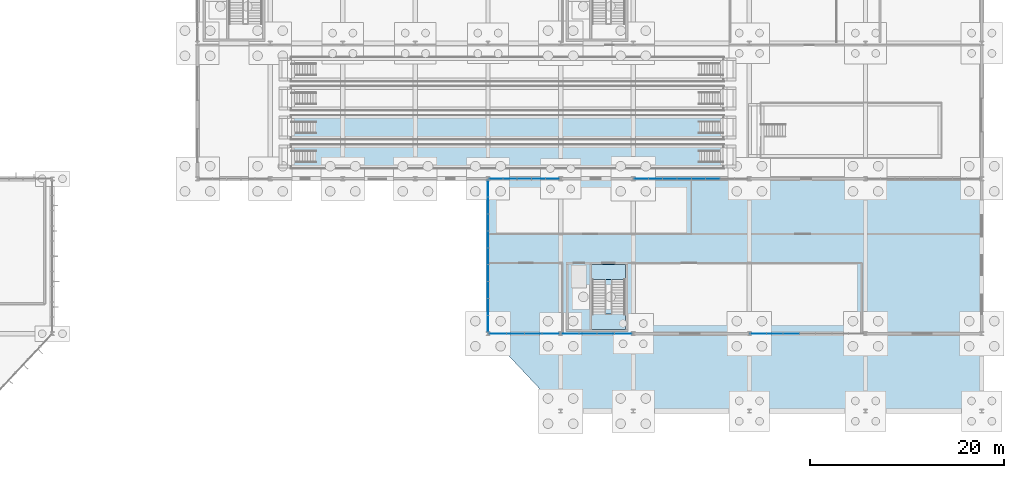
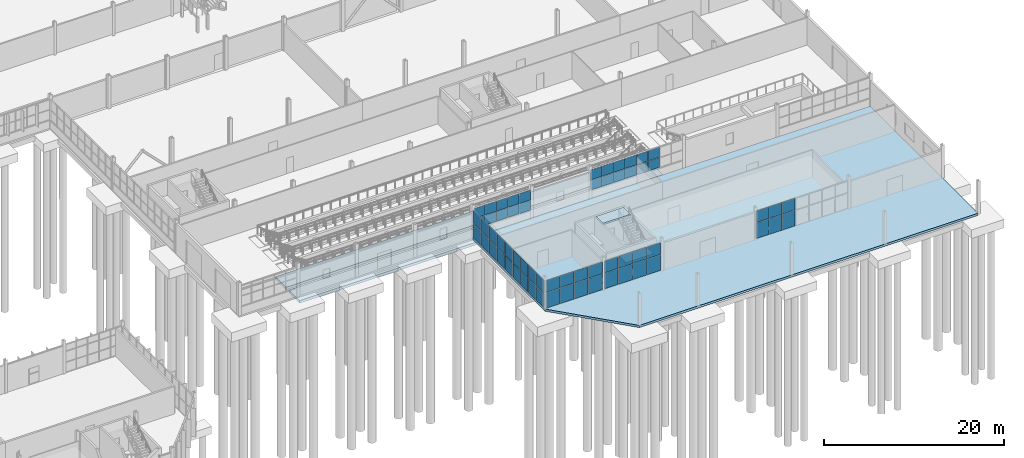
# One storey, part 96 of 136: 62 plates, 5 slabs, 7 elements without a shape of their own.
"""IFC4 building model written with IfcOpenShell, lengths in metres."""

from ifc_helpers import new_model, si_unit, direction, frame, origin, origin_2d, place, context, subcontext, project, spatial, polyline, rectangle, outline, extrude, material, layer, layer_set, type_object, element, aggregate, save


model = new_model("IFC4")

# Units and contexts
model_context = context("Model", 3, precision=1e-05, world=origin(), true_north=direction((0.0, 1.0)))
body_context = subcontext(model_context, "Body", "Model", "MODEL_VIEW")
ifc_project = project(units=[si_unit("LENGTHUNIT", "METRE"), si_unit("AREAUNIT", "SQUARE_METRE"), si_unit("VOLUMEUNIT", "CUBIC_METRE"), si_unit("PLANEANGLEUNIT", "RADIAN"), si_unit("MASSUNIT", "GRAM", prefix="KILO")], contexts=[model_context])

# Site, building, storey
site_placement = place(None, origin())
site = spatial("IfcSite", under=ifc_project, at=site_placement, CompositionType="ELEMENT")
building_placement = place(site_placement, origin())
building = spatial("IfcBuilding", under=site, at=building_placement, Name="Solvenia Promenade Tram Depot", CompositionType="ELEMENT")
storey_placement = place(building_placement, origin())
storey = spatial("IfcBuildingStorey", under=building, at=storey_placement, Name="L00", CompositionType="ELEMENT", Elevation=0.0)

# Curtain wall, plates
ifc_material_1 = material(Name="Anodized aluminium AW-6063 T6", Category="aluminium")
ifc_layer_1 = layer(ifc_material_1, 0.179931640625, Name="Anodized aluminium AW-6063 T6", Category="aluminium")
ifc_layer_set_1 = layer_set([ifc_layer_1], Name="Anodized aluminium AW-6063 T6")
curtain_wall_type_1 = type_object("IfcCurtainWallType", Name="CW-Prom-1800", PredefinedType="NOTDEFINED", material=ifc_layer_set_1)
curtain_wall_1_placement = place(storey_placement, origin())
curtain_wall_1 = element("IfcCurtainWall", 1, at=curtain_wall_1_placement, inside=storey, type_object=curtain_wall_type_1, Name="Curtain Wall CW-V5S-L0-01", PredefinedType="NOTDEFINED")
ifc_material_2 = material(Name="Double low-e argon insulated glass", Category="glass")
ifc_layer_2 = layer(ifc_material_2, 0.031982421875, Name="Double low-e argon insulated glass", Category="glass")
ifc_layer_set_2 = layer_set([ifc_layer_2], Name="Double low-e argon insulated glass")
plate_type_1 = type_object("IfcPlateType", Name="CWP-Panel-2", PredefinedType="CURTAIN_PANEL", material=ifc_layer_set_2)
plate_1_placement = place(storey_placement, frame((136.01123046875, 8.0, 0.05517578125), z_axis=(0.0, 0.0, 1.0), x_axis=(1.0, 0.0, 0.0)))
plate_1 = element("IfcPlate", 2, at=plate_1_placement, type_object=plate_type_1, Name="CW-9 panel 1.1", PredefinedType="CURTAIN_PANEL", context=body_context, shape_type="SweptSolid", body=[
    extrude(rectangle(XDim=1.75244140625, YDim=0.031982421875, at=origin_2d()), origin(), (0.0, 0.0, 1.0), 2.117431640625),
])
plate_2_placement = place(storey_placement, frame((136.01123046875, 8.0, 2.2275390625), z_axis=(0.0, 0.0, 1.0), x_axis=(1.0, 0.0, 0.0)))
plate_2 = element("IfcPlate", 3, at=plate_2_placement, type_object=plate_type_1, Name="CW-9 panel 1.2", PredefinedType="CURTAIN_PANEL", context=body_context, shape_type="SweptSolid", body=[
    extrude(rectangle(XDim=1.75244140625, YDim=0.031982421875, at=origin_2d()), origin(), (0.0, 0.0, 1.0), 1.5673828125),
])
plate_3_placement = place(storey_placement, frame((137.83251953125, 8.0, 0.05517578125), z_axis=(0.0, 0.0, 1.0), x_axis=(1.0, 0.0, 0.0)))
plate_3 = element("IfcPlate", 4, at=plate_3_placement, type_object=plate_type_1, Name="CW-9 panel 2.1", PredefinedType="CURTAIN_PANEL", context=body_context, shape_type="SweptSolid", body=[
    extrude(rectangle(XDim=1.780029296875, YDim=0.031982421875, at=origin_2d()), origin(), (0.0, 0.0, 1.0), 2.117431640625),
])
plate_4_placement = place(storey_placement, frame((137.83251953125, 8.0, 2.2275390625), z_axis=(0.0, 0.0, 1.0), x_axis=(1.0, 0.0, 0.0)))
plate_4 = element("IfcPlate", 5, at=plate_4_placement, type_object=plate_type_1, Name="CW-9 panel 2.2", PredefinedType="CURTAIN_PANEL", context=body_context, shape_type="SweptSolid", body=[
    extrude(rectangle(XDim=1.780029296875, YDim=0.031982421875, at=origin_2d()), origin(), (0.0, 0.0, 1.0), 1.5673828125),
])
plate_5_placement = place(storey_placement, frame((139.66748046875, 8.0, 0.05517578125), z_axis=(0.0, 0.0, 1.0), x_axis=(1.0, 0.0, 0.0)))
plate_5 = element("IfcPlate", 6, at=plate_5_placement, type_object=plate_type_1, Name="CW-9 panel 3.1", PredefinedType="CURTAIN_PANEL", context=body_context, shape_type="SweptSolid", body=[
    extrude(rectangle(XDim=1.780029296875, YDim=0.031982421875, at=origin_2d()), origin(), (0.0, 0.0, 1.0), 2.117431640625),
])
plate_6_placement = place(storey_placement, frame((139.66748046875, 8.0, 2.2275390625), z_axis=(0.0, 0.0, 1.0), x_axis=(1.0, 0.0, 0.0)))
plate_6 = element("IfcPlate", 7, at=plate_6_placement, type_object=plate_type_1, Name="CW-9 panel 3.2", PredefinedType="CURTAIN_PANEL", context=body_context, shape_type="SweptSolid", body=[
    extrude(rectangle(XDim=1.780029296875, YDim=0.031982421875, at=origin_2d()), origin(), (0.0, 0.0, 1.0), 1.5673828125),
])
plate_7_placement = place(storey_placement, frame((141.48876953125, 8.0, 0.05517578125), z_axis=(0.0, 0.0, 1.0), x_axis=(1.0, 0.0, 0.0)))
plate_7 = element("IfcPlate", 8, at=plate_7_placement, type_object=plate_type_1, Name="CW-9 panel 4.1", PredefinedType="CURTAIN_PANEL", context=body_context, shape_type="SweptSolid", body=[
    extrude(rectangle(XDim=1.75244140625, YDim=0.031982421875, at=origin_2d()), origin(), (0.0, 0.0, 1.0), 2.117431640625),
])
plate_8_placement = place(storey_placement, frame((141.48876953125, 8.0, 2.2275390625), z_axis=(0.0, 0.0, 1.0), x_axis=(1.0, 0.0, 0.0)))
plate_8 = element("IfcPlate", 9, at=plate_8_placement, type_object=plate_type_1, Name="CW-9 panel 4.2", PredefinedType="CURTAIN_PANEL", context=body_context, shape_type="SweptSolid", body=[
    extrude(rectangle(XDim=1.75244140625, YDim=0.031982421875, at=origin_2d()), origin(), (0.0, 0.0, 1.0), 1.5673828125),
])
aggregate(curtain_wall_1, [plate_1, plate_2, plate_3, plate_4, plate_5, plate_6, plate_7, plate_8])

curtain_wall_2_placement = place(storey_placement, origin())
curtain_wall_2 = element("IfcCurtainWall", 10, at=curtain_wall_2_placement, inside=storey, type_object=curtain_wall_type_1, Name="Curtain Wall CW-V5S-L0-02", PredefinedType="NOTDEFINED")
plate_9_placement = place(storey_placement, frame((143.51123046875, 8.0, 0.05517578125), z_axis=(0.0, 0.0, 1.0), x_axis=(1.0, 0.0, 0.0)))
plate_9 = element("IfcPlate", 11, at=plate_9_placement, type_object=plate_type_1, Name="CW-9 panel 1.1", PredefinedType="CURTAIN_PANEL", context=body_context, shape_type="SweptSolid", body=[
    extrude(rectangle(XDim=1.75244140625, YDim=0.031982421875, at=origin_2d()), origin(), (0.0, 0.0, 1.0), 2.117431640625),
])
plate_10_placement = place(storey_placement, frame((143.51123046875, 8.0, 2.2275390625), z_axis=(0.0, 0.0, 1.0), x_axis=(1.0, 0.0, 0.0)))
plate_10 = element("IfcPlate", 12, at=plate_10_placement, type_object=plate_type_1, Name="CW-9 panel 1.2", PredefinedType="CURTAIN_PANEL", context=body_context, shape_type="SweptSolid", body=[
    extrude(rectangle(XDim=1.75244140625, YDim=0.031982421875, at=origin_2d()), origin(), (0.0, 0.0, 1.0), 1.5673828125),
])
plate_11_placement = place(storey_placement, frame((145.33251953125, 8.0, 0.05517578125), z_axis=(0.0, 0.0, 1.0), x_axis=(1.0, 0.0, 0.0)))
plate_11 = element("IfcPlate", 13, at=plate_11_placement, type_object=plate_type_1, Name="CW-9 panel 2.1", PredefinedType="CURTAIN_PANEL", context=body_context, shape_type="SweptSolid", body=[
    extrude(rectangle(XDim=1.780029296875, YDim=0.031982421875, at=origin_2d()), origin(), (0.0, 0.0, 1.0), 2.117431640625),
])
plate_12_placement = place(storey_placement, frame((145.33251953125, 8.0, 2.2275390625), z_axis=(0.0, 0.0, 1.0), x_axis=(1.0, 0.0, 0.0)))
plate_12 = element("IfcPlate", 14, at=plate_12_placement, type_object=plate_type_1, Name="CW-9 panel 2.2", PredefinedType="CURTAIN_PANEL", context=body_context, shape_type="SweptSolid", body=[
    extrude(rectangle(XDim=1.780029296875, YDim=0.031982421875, at=origin_2d()), origin(), (0.0, 0.0, 1.0), 1.5673828125),
])
plate_13_placement = place(storey_placement, frame((147.16748046875, 8.0, 0.05517578125), z_axis=(0.0, 0.0, 1.0), x_axis=(1.0, 0.0, 0.0)))
plate_13 = element("IfcPlate", 15, at=plate_13_placement, type_object=plate_type_1, Name="CW-9 panel 3.1", PredefinedType="CURTAIN_PANEL", context=body_context, shape_type="SweptSolid", body=[
    extrude(rectangle(XDim=1.780029296875, YDim=0.031982421875, at=origin_2d()), origin(), (0.0, 0.0, 1.0), 2.117431640625),
])
plate_14_placement = place(storey_placement, frame((147.16748046875, 8.0, 2.2275390625), z_axis=(0.0, 0.0, 1.0), x_axis=(1.0, 0.0, 0.0)))
plate_14 = element("IfcPlate", 16, at=plate_14_placement, type_object=plate_type_1, Name="CW-9 panel 3.2", PredefinedType="CURTAIN_PANEL", context=body_context, shape_type="SweptSolid", body=[
    extrude(rectangle(XDim=1.780029296875, YDim=0.031982421875, at=origin_2d()), origin(), (0.0, 0.0, 1.0), 1.5673828125),
])
plate_15_placement = place(storey_placement, frame((148.98876953125, 8.0, 0.05517578125), z_axis=(0.0, 0.0, 1.0), x_axis=(1.0, 0.0, 0.0)))
plate_15 = element("IfcPlate", 17, at=plate_15_placement, type_object=plate_type_1, Name="CW-9 panel 4.1", PredefinedType="CURTAIN_PANEL", context=body_context, shape_type="SweptSolid", body=[
    extrude(rectangle(XDim=1.75244140625, YDim=0.031982421875, at=origin_2d()), origin(), (0.0, 0.0, 1.0), 2.117431640625),
])
plate_16_placement = place(storey_placement, frame((148.98876953125, 8.0, 2.2275390625), z_axis=(0.0, 0.0, 1.0), x_axis=(1.0, 0.0, 0.0)))
plate_16 = element("IfcPlate", 18, at=plate_16_placement, type_object=plate_type_1, Name="CW-9 panel 4.2", PredefinedType="CURTAIN_PANEL", context=body_context, shape_type="SweptSolid", body=[
    extrude(rectangle(XDim=1.75244140625, YDim=0.031982421875, at=origin_2d()), origin(), (0.0, 0.0, 1.0), 1.5673828125),
])
aggregate(curtain_wall_2, [plate_9, plate_10, plate_11, plate_12, plate_13, plate_14, plate_15, plate_16])

curtain_wall_3_placement = place(storey_placement, origin())
curtain_wall_3 = element("IfcCurtainWall", 19, at=curtain_wall_3_placement, inside=storey, type_object=curtain_wall_type_1, Name="Curtain Wall CW-V5S-L0-04", PredefinedType="NOTDEFINED")
plate_17_placement = place(storey_placement, frame((162.939453125, 8.0, 0.05517578125), z_axis=(0.0, 0.0, 1.0), x_axis=(1.0, 0.0, 0.0)))
plate_17 = element("IfcPlate", 20, at=plate_17_placement, type_object=plate_type_1, Name="CW-9 panel 1.1", PredefinedType="CURTAIN_PANEL", context=body_context, shape_type="SweptSolid", body=[
    extrude(rectangle(XDim=1.60888671875, YDim=0.031982421875, at=origin_2d()), origin(), (0.0, 0.0, 1.0), 2.117431640625),
])
plate_18_placement = place(storey_placement, frame((162.939453125, 8.0, 2.2275390625), z_axis=(0.0, 0.0, 1.0), x_axis=(1.0, 0.0, 0.0)))
plate_18 = element("IfcPlate", 21, at=plate_18_placement, type_object=plate_type_1, Name="CW-9 panel 1.2", PredefinedType="CURTAIN_PANEL", context=body_context, shape_type="SweptSolid", body=[
    extrude(rectangle(XDim=1.60888671875, YDim=0.031982421875, at=origin_2d()), origin(), (0.0, 0.0, 1.0), 1.5673828125),
])
plate_19_placement = place(storey_placement, frame((164.6171875, 8.0, 0.05517578125), z_axis=(0.0, 0.0, 1.0), x_axis=(1.0, 0.0, 0.0)))
plate_19 = element("IfcPlate", 22, at=plate_19_placement, type_object=plate_type_1, Name="CW-9 panel 2.1", PredefinedType="CURTAIN_PANEL", context=body_context, shape_type="SweptSolid", body=[
    extrude(rectangle(XDim=1.636474609375, YDim=0.031982421875, at=origin_2d()), origin(), (0.0, 0.0, 1.0), 2.117431640625),
])
plate_20_placement = place(storey_placement, frame((164.6171875, 8.0, 2.2275390625), z_axis=(0.0, 0.0, 1.0), x_axis=(1.0, 0.0, 0.0)))
plate_20 = element("IfcPlate", 23, at=plate_20_placement, type_object=plate_type_1, Name="CW-9 panel 2.2", PredefinedType="CURTAIN_PANEL", context=body_context, shape_type="SweptSolid", body=[
    extrude(rectangle(XDim=1.636474609375, YDim=0.031982421875, at=origin_2d()), origin(), (0.0, 0.0, 1.0), 1.5673828125),
])
plate_21_placement = place(storey_placement, frame((166.30859375, 8.0, 0.05517578125), z_axis=(0.0, 0.0, 1.0), x_axis=(1.0, 0.0, 0.0)))
plate_21 = element("IfcPlate", 24, at=plate_21_placement, type_object=plate_type_1, Name="CW-9 panel 3.1", PredefinedType="CURTAIN_PANEL", context=body_context, shape_type="SweptSolid", body=[
    extrude(rectangle(XDim=1.636474609375, YDim=0.031982421875, at=origin_2d()), origin(), (0.0, 0.0, 1.0), 2.117431640625),
])
plate_22_placement = place(storey_placement, frame((166.30859375, 8.0, 2.2275390625), z_axis=(0.0, 0.0, 1.0), x_axis=(1.0, 0.0, 0.0)))
plate_22 = element("IfcPlate", 25, at=plate_22_placement, type_object=plate_type_1, Name="CW-9 panel 3.2", PredefinedType="CURTAIN_PANEL", context=body_context, shape_type="SweptSolid", body=[
    extrude(rectangle(XDim=1.636474609375, YDim=0.031982421875, at=origin_2d()), origin(), (0.0, 0.0, 1.0), 1.5673828125),
])
aggregate(curtain_wall_3, [plate_17, plate_18, plate_19, plate_20, plate_21, plate_22])

curtain_wall_4_placement = place(storey_placement, origin())
curtain_wall_4 = element("IfcCurtainWall", 26, at=curtain_wall_4_placement, inside=storey, type_object=curtain_wall_type_1, Name="Curtain Wall CW-V5W-L00", PredefinedType="NOTDEFINED")
plate_23_placement = place(storey_placement, frame((135.0, 9.035888671875, 0.054931640625), z_axis=(0.0, 0.0, 1.0), x_axis=(0.0, 1.0, 0.0)))
plate_23 = element("IfcPlate", 27, at=plate_23_placement, type_object=plate_type_1, Name="CW-9 panel 1.1", PredefinedType="CURTAIN_PANEL", context=body_context, shape_type="SweptSolid", body=[
    extrude(rectangle(XDim=1.661865234375, YDim=0.031982421875, at=origin_2d()), origin(), (0.0, 0.0, 1.0), 1.91748046875),
])
plate_24_placement = place(storey_placement, frame((135.0, 9.035888671875, 2.02734375), z_axis=(0.0, 0.0, 1.0), x_axis=(0.0, 1.0, 0.0)))
plate_24 = element("IfcPlate", 28, at=plate_24_placement, type_object=plate_type_1, Name="CW-9 panel 1.2", PredefinedType="CURTAIN_PANEL", context=body_context, shape_type="SweptSolid", body=[
    extrude(rectangle(XDim=1.661865234375, YDim=0.031982421875, at=origin_2d()), origin(), (0.0, 0.0, 1.0), 1.767578125),
])
plate_25_placement = place(storey_placement, frame((135.0, 10.7666015625, 0.054931640625), z_axis=(0.0, 0.0, 1.0), x_axis=(0.0, 1.0, 0.0)))
plate_25 = element("IfcPlate", 29, at=plate_25_placement, type_object=plate_type_1, Name="CW-9 panel 2.1", PredefinedType="CURTAIN_PANEL", context=body_context, shape_type="SweptSolid", body=[
    extrude(rectangle(XDim=1.689453125, YDim=0.031982421875, at=origin_2d()), origin(), (0.0, 0.0, 1.0), 1.91748046875),
])
plate_26_placement = place(storey_placement, frame((135.0, 10.7666015625, 2.02734375), z_axis=(0.0, 0.0, 1.0), x_axis=(0.0, 1.0, 0.0)))
plate_26 = element("IfcPlate", 30, at=plate_26_placement, type_object=plate_type_1, Name="CW-9 panel 2.2", PredefinedType="CURTAIN_PANEL", context=body_context, shape_type="SweptSolid", body=[
    extrude(rectangle(XDim=1.689453125, YDim=0.031982421875, at=origin_2d()), origin(), (0.0, 0.0, 1.0), 1.767578125),
])
plate_27_placement = place(storey_placement, frame((135.0, 12.51123046875, 0.054931640625), z_axis=(0.0, 0.0, 1.0), x_axis=(0.0, 1.0, 0.0)))
plate_27 = element("IfcPlate", 31, at=plate_27_placement, type_object=plate_type_1, Name="CW-9 panel 3.1", PredefinedType="CURTAIN_PANEL", context=body_context, shape_type="SweptSolid", body=[
    extrude(rectangle(XDim=1.689453125, YDim=0.031982421875, at=origin_2d()), origin(), (0.0, 0.0, 1.0), 1.91748046875),
])
plate_28_placement = place(storey_placement, frame((135.0, 12.51123046875, 2.02734375), z_axis=(0.0, 0.0, 1.0), x_axis=(0.0, 1.0, 0.0)))
plate_28 = element("IfcPlate", 32, at=plate_28_placement, type_object=plate_type_1, Name="CW-9 panel 3.2", PredefinedType="CURTAIN_PANEL", context=body_context, shape_type="SweptSolid", body=[
    extrude(rectangle(XDim=1.689453125, YDim=0.031982421875, at=origin_2d()), origin(), (0.0, 0.0, 1.0), 1.767578125),
])
plate_29_placement = place(storey_placement, frame((135.0, 14.255615234375, 0.054931640625), z_axis=(0.0, 0.0, 1.0), x_axis=(0.0, 1.0, 0.0)))
plate_29 = element("IfcPlate", 33, at=plate_29_placement, type_object=plate_type_1, Name="CW-9 panel 4.1", PredefinedType="CURTAIN_PANEL", context=body_context, shape_type="SweptSolid", body=[
    extrude(rectangle(XDim=1.689453125, YDim=0.031982421875, at=origin_2d()), origin(), (0.0, 0.0, 1.0), 1.91748046875),
])
plate_30_placement = place(storey_placement, frame((135.0, 14.255615234375, 2.02734375), z_axis=(0.0, 0.0, 1.0), x_axis=(0.0, 1.0, 0.0)))
plate_30 = element("IfcPlate", 34, at=plate_30_placement, type_object=plate_type_1, Name="CW-9 panel 4.2", PredefinedType="CURTAIN_PANEL", context=body_context, shape_type="SweptSolid", body=[
    extrude(rectangle(XDim=1.689453125, YDim=0.031982421875, at=origin_2d()), origin(), (0.0, 0.0, 1.0), 1.767578125),
])
plate_31_placement = place(storey_placement, frame((135.0, 16.0, 0.054931640625), z_axis=(0.0, 0.0, 1.0), x_axis=(0.0, 1.0, 0.0)))
plate_31 = element("IfcPlate", 35, at=plate_31_placement, type_object=plate_type_1, Name="CW-9 panel 5.1", PredefinedType="CURTAIN_PANEL", context=body_context, shape_type="SweptSolid", body=[
    extrude(rectangle(XDim=1.689453125, YDim=0.031982421875, at=origin_2d()), origin(), (0.0, 0.0, 1.0), 1.91748046875),
])
plate_32_placement = place(storey_placement, frame((135.0, 16.0, 2.02734375), z_axis=(0.0, 0.0, 1.0), x_axis=(0.0, 1.0, 0.0)))
plate_32 = element("IfcPlate", 36, at=plate_32_placement, type_object=plate_type_1, Name="CW-9 panel 5.2", PredefinedType="CURTAIN_PANEL", context=body_context, shape_type="SweptSolid", body=[
    extrude(rectangle(XDim=1.689453125, YDim=0.031982421875, at=origin_2d()), origin(), (0.0, 0.0, 1.0), 1.767578125),
])
plate_33_placement = place(storey_placement, frame((135.0, 17.744384765625, 0.054931640625), z_axis=(0.0, 0.0, 1.0), x_axis=(0.0, 1.0, 0.0)))
plate_33 = element("IfcPlate", 37, at=plate_33_placement, type_object=plate_type_1, Name="CW-9 panel 6.1", PredefinedType="CURTAIN_PANEL", context=body_context, shape_type="SweptSolid", body=[
    extrude(rectangle(XDim=1.689453125, YDim=0.031982421875, at=origin_2d()), origin(), (0.0, 0.0, 1.0), 1.91748046875),
])
plate_34_placement = place(storey_placement, frame((135.0, 17.744384765625, 2.02734375), z_axis=(0.0, 0.0, 1.0), x_axis=(0.0, 1.0, 0.0)))
plate_34 = element("IfcPlate", 38, at=plate_34_placement, type_object=plate_type_1, Name="CW-9 panel 6.2", PredefinedType="CURTAIN_PANEL", context=body_context, shape_type="SweptSolid", body=[
    extrude(rectangle(XDim=1.689453125, YDim=0.031982421875, at=origin_2d()), origin(), (0.0, 0.0, 1.0), 1.767578125),
])
plate_35_placement = place(storey_placement, frame((135.0, 19.48876953125, 0.054931640625), z_axis=(0.0, 0.0, 1.0), x_axis=(0.0, 1.0, 0.0)))
plate_35 = element("IfcPlate", 39, at=plate_35_placement, type_object=plate_type_1, Name="CW-9 panel 7.1", PredefinedType="CURTAIN_PANEL", context=body_context, shape_type="SweptSolid", body=[
    extrude(rectangle(XDim=1.689453125, YDim=0.031982421875, at=origin_2d()), origin(), (0.0, 0.0, 1.0), 1.91748046875),
])
plate_36_placement = place(storey_placement, frame((135.0, 19.48876953125, 2.02734375), z_axis=(0.0, 0.0, 1.0), x_axis=(0.0, 1.0, 0.0)))
plate_36 = element("IfcPlate", 40, at=plate_36_placement, type_object=plate_type_1, Name="CW-9 panel 7.2", PredefinedType="CURTAIN_PANEL", context=body_context, shape_type="SweptSolid", body=[
    extrude(rectangle(XDim=1.689453125, YDim=0.031982421875, at=origin_2d()), origin(), (0.0, 0.0, 1.0), 1.767578125),
])
plate_37_placement = place(storey_placement, frame((135.0, 21.2333984375, 0.054931640625), z_axis=(0.0, 0.0, 1.0), x_axis=(0.0, 1.0, 0.0)))
plate_37 = element("IfcPlate", 41, at=plate_37_placement, type_object=plate_type_1, Name="CW-9 panel 8.1", PredefinedType="CURTAIN_PANEL", context=body_context, shape_type="SweptSolid", body=[
    extrude(rectangle(XDim=1.689453125, YDim=0.031982421875, at=origin_2d()), origin(), (0.0, 0.0, 1.0), 1.91748046875),
])
plate_38_placement = place(storey_placement, frame((135.0, 21.2333984375, 2.02734375), z_axis=(0.0, 0.0, 1.0), x_axis=(0.0, 1.0, 0.0)))
plate_38 = element("IfcPlate", 42, at=plate_38_placement, type_object=plate_type_1, Name="CW-9 panel 8.2", PredefinedType="CURTAIN_PANEL", context=body_context, shape_type="SweptSolid", body=[
    extrude(rectangle(XDim=1.689453125, YDim=0.031982421875, at=origin_2d()), origin(), (0.0, 0.0, 1.0), 1.767578125),
])
plate_39_placement = place(storey_placement, frame((135.0, 22.964111328125, 0.054931640625), z_axis=(0.0, 0.0, 1.0), x_axis=(0.0, 1.0, 0.0)))
plate_39 = element("IfcPlate", 43, at=plate_39_placement, type_object=plate_type_1, Name="CW-9 panel 9.1", PredefinedType="CURTAIN_PANEL", context=body_context, shape_type="SweptSolid", body=[
    extrude(rectangle(XDim=1.661865234375, YDim=0.031982421875, at=origin_2d()), origin(), (0.0, 0.0, 1.0), 1.91748046875),
])
plate_40_placement = place(storey_placement, frame((135.0, 22.964111328125, 2.02734375), z_axis=(0.0, 0.0, 1.0), x_axis=(0.0, 1.0, 0.0)))
plate_40 = element("IfcPlate", 44, at=plate_40_placement, type_object=plate_type_1, Name="CW-9 panel 9.2", PredefinedType="CURTAIN_PANEL", context=body_context, shape_type="SweptSolid", body=[
    extrude(rectangle(XDim=1.661865234375, YDim=0.031982421875, at=origin_2d()), origin(), (0.0, 0.0, 1.0), 1.767578125),
])
aggregate(curtain_wall_4, [plate_23, plate_24, plate_25, plate_26, plate_27, plate_28, plate_29, plate_30, plate_31, plate_32, plate_33, plate_34, plate_35, plate_36, plate_37, plate_38, plate_39, plate_40])

ifc_layer_3 = layer(ifc_material_1, 0.179931640625, Name="Anodized aluminium AW-6063 T6", Category="aluminium")
ifc_layer_set_3 = layer_set([ifc_layer_3], Name="Anodized aluminium AW-6063 T6")
curtain_wall_type_2 = type_object("IfcCurtainWallType", Name="CW-Solar-1500", PredefinedType="NOTDEFINED", material=ifc_layer_set_3)
curtain_wall_5_placement = place(storey_placement, origin())
curtain_wall_5 = element("IfcCurtainWall", 45, at=curtain_wall_5_placement, inside=storey, type_object=curtain_wall_type_2, Name="Curtain Wall CW-V2S-L0-05", PredefinedType="NOTDEFINED")
ifc_layer_4 = layer(ifc_material_2, 0.035888671875, Name="Double low-e argon insulated glass", Category="glass")
ifc_layer_set_4 = layer_set([ifc_layer_4], Name="Double low-e argon insulated glass")
plate_type_2 = type_object("IfcPlateType", Name="CWP-Panel-3", PredefinedType="CURTAIN_PANEL", material=ifc_layer_set_4)
plate_41_placement = place(storey_placement, frame((135.825927734375, 24.0, 1.157958984375), z_axis=(0.0, 0.0, 1.0), x_axis=(1.0, 0.0, 0.0)))
plate_41 = element("IfcPlate", 46, at=plate_41_placement, type_object=plate_type_2, Name="CW-7 panel 1.1", PredefinedType="CURTAIN_PANEL", context=body_context, shape_type="SweptSolid", body=[
    extrude(rectangle(XDim=1.39599609375, YDim=0.035888671875, at=origin_2d()), origin(), (0.0, 0.0, 1.0), 1.31298828125),
])
plate_42_placement = place(storey_placement, frame((135.825927734375, 24.0, 2.52880859375), z_axis=(0.0, 0.0, 1.0), x_axis=(1.0, 0.0, 0.0)))
plate_42 = element("IfcPlate", 47, at=plate_42_placement, type_object=plate_type_2, Name="CW-7 panel 1.2", PredefinedType="CURTAIN_PANEL", context=body_context, shape_type="SweptSolid", body=[
    extrude(rectangle(XDim=1.39599609375, YDim=0.035888671875, at=origin_2d()), origin(), (0.0, 0.0, 1.0), 1.363037109375),
])
plate_43_placement = place(storey_placement, frame((137.281982421875, 24.0, 1.157958984375), z_axis=(0.0, 0.0, 1.0), x_axis=(1.0, 0.0, 0.0)))
plate_43 = element("IfcPlate", 48, at=plate_43_placement, type_object=plate_type_2, Name="CW-7 panel 2.1", PredefinedType="CURTAIN_PANEL", context=body_context, shape_type="SweptSolid", body=[
    extrude(rectangle(XDim=1.419921875, YDim=0.035888671875, at=origin_2d()), origin(), (0.0, 0.0, 1.0), 1.31298828125),
])
plate_44_placement = place(storey_placement, frame((137.281982421875, 24.0, 2.52880859375), z_axis=(0.0, 0.0, 1.0), x_axis=(1.0, 0.0, 0.0)))
plate_44 = element("IfcPlate", 49, at=plate_44_placement, type_object=plate_type_2, Name="CW-7 panel 2.2", PredefinedType="CURTAIN_PANEL", context=body_context, shape_type="SweptSolid", body=[
    extrude(rectangle(XDim=1.419921875, YDim=0.035888671875, at=origin_2d()), origin(), (0.0, 0.0, 1.0), 1.363037109375),
])
plate_45_placement = place(storey_placement, frame((138.75, 24.0, 1.157958984375), z_axis=(0.0, 0.0, 1.0), x_axis=(1.0, 0.0, 0.0)))
plate_45 = element("IfcPlate", 50, at=plate_45_placement, type_object=plate_type_2, Name="CW-7 panel 3.1", PredefinedType="CURTAIN_PANEL", context=body_context, shape_type="SweptSolid", body=[
    extrude(rectangle(XDim=1.419921875, YDim=0.035888671875, at=origin_2d()), origin(), (0.0, 0.0, 1.0), 1.31298828125),
])
plate_46_placement = place(storey_placement, frame((138.75, 24.0, 2.52880859375), z_axis=(0.0, 0.0, 1.0), x_axis=(1.0, 0.0, 0.0)))
plate_46 = element("IfcPlate", 51, at=plate_46_placement, type_object=plate_type_2, Name="CW-7 panel 3.2", PredefinedType="CURTAIN_PANEL", context=body_context, shape_type="SweptSolid", body=[
    extrude(rectangle(XDim=1.419921875, YDim=0.035888671875, at=origin_2d()), origin(), (0.0, 0.0, 1.0), 1.363037109375),
])
plate_47_placement = place(storey_placement, frame((140.218017578125, 24.0, 1.157958984375), z_axis=(0.0, 0.0, 1.0), x_axis=(1.0, 0.0, 0.0)))
plate_47 = element("IfcPlate", 52, at=plate_47_placement, type_object=plate_type_2, Name="CW-7 panel 4.1", PredefinedType="CURTAIN_PANEL", context=body_context, shape_type="SweptSolid", body=[
    extrude(rectangle(XDim=1.419921875, YDim=0.035888671875, at=origin_2d()), origin(), (0.0, 0.0, 1.0), 1.31298828125),
])
plate_48_placement = place(storey_placement, frame((140.218017578125, 24.0, 2.52880859375), z_axis=(0.0, 0.0, 1.0), x_axis=(1.0, 0.0, 0.0)))
plate_48 = element("IfcPlate", 53, at=plate_48_placement, type_object=plate_type_2, Name="CW-7 panel 4.2", PredefinedType="CURTAIN_PANEL", context=body_context, shape_type="SweptSolid", body=[
    extrude(rectangle(XDim=1.419921875, YDim=0.035888671875, at=origin_2d()), origin(), (0.0, 0.0, 1.0), 1.363037109375),
])
plate_49_placement = place(storey_placement, frame((141.674072265625, 24.0, 1.157958984375), z_axis=(0.0, 0.0, 1.0), x_axis=(1.0, 0.0, 0.0)))
plate_49 = element("IfcPlate", 54, at=plate_49_placement, type_object=plate_type_2, Name="CW-7 panel 5.1", PredefinedType="CURTAIN_PANEL", context=body_context, shape_type="SweptSolid", body=[
    extrude(rectangle(XDim=1.39599609375, YDim=0.035888671875, at=origin_2d()), origin(), (0.0, 0.0, 1.0), 1.31298828125),
])
plate_50_placement = place(storey_placement, frame((141.674072265625, 24.0, 2.52880859375), z_axis=(0.0, 0.0, 1.0), x_axis=(1.0, 0.0, 0.0)))
plate_50 = element("IfcPlate", 55, at=plate_50_placement, type_object=plate_type_2, Name="CW-7 panel 5.2", PredefinedType="CURTAIN_PANEL", context=body_context, shape_type="SweptSolid", body=[
    extrude(rectangle(XDim=1.39599609375, YDim=0.035888671875, at=origin_2d()), origin(), (0.0, 0.0, 1.0), 1.363037109375),
])
aggregate(curtain_wall_5, [plate_41, plate_42, plate_43, plate_44, plate_45, plate_46, plate_47, plate_48, plate_49, plate_50])

curtain_wall_6_placement = place(storey_placement, origin())
curtain_wall_6 = element("IfcCurtainWall", 56, at=curtain_wall_6_placement, inside=storey, type_object=curtain_wall_type_2, Name="Curtain Wall CW-V2S-L0-07", PredefinedType="NOTDEFINED")
plate_51_placement = place(storey_placement, frame((150.83203125, 24.0, 1.157958984375), z_axis=(0.0, 0.0, 1.0), x_axis=(1.0, 0.0, 0.0)))
plate_51 = element("IfcPlate", 57, at=plate_51_placement, type_object=plate_type_2, Name="CW-7 panel 1.1", PredefinedType="CURTAIN_PANEL", context=body_context, shape_type="SweptSolid", body=[
    extrude(rectangle(XDim=1.407958984375, YDim=0.035888671875, at=origin_2d()), origin(), (0.0, 0.0, 1.0), 1.31298828125),
])
plate_52_placement = place(storey_placement, frame((150.83203125, 24.0, 2.52880859375), z_axis=(0.0, 0.0, 1.0), x_axis=(1.0, 0.0, 0.0)))
plate_52 = element("IfcPlate", 58, at=plate_52_placement, type_object=plate_type_2, Name="CW-7 panel 1.2", PredefinedType="CURTAIN_PANEL", context=body_context, shape_type="SweptSolid", body=[
    extrude(rectangle(XDim=1.407958984375, YDim=0.035888671875, at=origin_2d()), origin(), (0.0, 0.0, 1.0), 1.363037109375),
])
plate_53_placement = place(storey_placement, frame((152.300048828125, 24.0, 1.157958984375), z_axis=(0.0, 0.0, 1.0), x_axis=(1.0, 0.0, 0.0)))
plate_53 = element("IfcPlate", 59, at=plate_53_placement, type_object=plate_type_2, Name="CW-7 panel 2.1", PredefinedType="CURTAIN_PANEL", context=body_context, shape_type="SweptSolid", body=[
    extrude(rectangle(XDim=1.431884765625, YDim=0.035888671875, at=origin_2d()), origin(), (0.0, 0.0, 1.0), 1.31298828125),
])
plate_54_placement = place(storey_placement, frame((152.300048828125, 24.0, 2.52880859375), z_axis=(0.0, 0.0, 1.0), x_axis=(1.0, 0.0, 0.0)))
plate_54 = element("IfcPlate", 60, at=plate_54_placement, type_object=plate_type_2, Name="CW-7 panel 2.2", PredefinedType="CURTAIN_PANEL", context=body_context, shape_type="SweptSolid", body=[
    extrude(rectangle(XDim=1.431884765625, YDim=0.035888671875, at=origin_2d()), origin(), (0.0, 0.0, 1.0), 1.363037109375),
])
plate_55_placement = place(storey_placement, frame((153.780029296875, 24.0, 1.157958984375), z_axis=(0.0, 0.0, 1.0), x_axis=(1.0, 0.0, 0.0)))
plate_55 = element("IfcPlate", 61, at=plate_55_placement, type_object=plate_type_2, Name="CW-7 panel 3.1", PredefinedType="CURTAIN_PANEL", context=body_context, shape_type="SweptSolid", body=[
    extrude(rectangle(XDim=1.431884765625, YDim=0.035888671875, at=origin_2d()), origin(), (0.0, 0.0, 1.0), 1.31298828125),
])
plate_56_placement = place(storey_placement, frame((153.780029296875, 24.0, 2.52880859375), z_axis=(0.0, 0.0, 1.0), x_axis=(1.0, 0.0, 0.0)))
plate_56 = element("IfcPlate", 62, at=plate_56_placement, type_object=plate_type_2, Name="CW-7 panel 3.2", PredefinedType="CURTAIN_PANEL", context=body_context, shape_type="SweptSolid", body=[
    extrude(rectangle(XDim=1.431884765625, YDim=0.035888671875, at=origin_2d()), origin(), (0.0, 0.0, 1.0), 1.363037109375),
])
plate_57_placement = place(storey_placement, frame((155.260009765625, 24.0, 1.157958984375), z_axis=(0.0, 0.0, 1.0), x_axis=(1.0, 0.0, 0.0)))
plate_57 = element("IfcPlate", 63, at=plate_57_placement, type_object=plate_type_2, Name="CW-7 panel 4.1", PredefinedType="CURTAIN_PANEL", context=body_context, shape_type="SweptSolid", body=[
    extrude(rectangle(XDim=1.431884765625, YDim=0.035888671875, at=origin_2d()), origin(), (0.0, 0.0, 1.0), 1.31298828125),
])
plate_58_placement = place(storey_placement, frame((155.260009765625, 24.0, 2.52880859375), z_axis=(0.0, 0.0, 1.0), x_axis=(1.0, 0.0, 0.0)))
plate_58 = element("IfcPlate", 64, at=plate_58_placement, type_object=plate_type_2, Name="CW-7 panel 4.2", PredefinedType="CURTAIN_PANEL", context=body_context, shape_type="SweptSolid", body=[
    extrude(rectangle(XDim=1.431884765625, YDim=0.035888671875, at=origin_2d()), origin(), (0.0, 0.0, 1.0), 1.363037109375),
])
plate_59_placement = place(storey_placement, frame((156.739990234375, 24.0, 1.157958984375), z_axis=(0.0, 0.0, 1.0), x_axis=(1.0, 0.0, 0.0)))
plate_59 = element("IfcPlate", 65, at=plate_59_placement, type_object=plate_type_2, Name="CW-7 panel 5.1", PredefinedType="CURTAIN_PANEL", context=body_context, shape_type="SweptSolid", body=[
    extrude(rectangle(XDim=1.431884765625, YDim=0.035888671875, at=origin_2d()), origin(), (0.0, 0.0, 1.0), 1.31298828125),
])
plate_60_placement = place(storey_placement, frame((156.739990234375, 24.0, 2.52880859375), z_axis=(0.0, 0.0, 1.0), x_axis=(1.0, 0.0, 0.0)))
plate_60 = element("IfcPlate", 66, at=plate_60_placement, type_object=plate_type_2, Name="CW-7 panel 5.2", PredefinedType="CURTAIN_PANEL", context=body_context, shape_type="SweptSolid", body=[
    extrude(rectangle(XDim=1.431884765625, YDim=0.035888671875, at=origin_2d()), origin(), (0.0, 0.0, 1.0), 1.363037109375),
])
plate_61_placement = place(storey_placement, frame((158.219970703125, 24.0, 1.157958984375), z_axis=(0.0, 0.0, 1.0), x_axis=(1.0, 0.0, 0.0)))
plate_61 = element("IfcPlate", 67, at=plate_61_placement, type_object=plate_type_2, Name="CW-7 panel 6.1", PredefinedType="CURTAIN_PANEL", context=body_context, shape_type="SweptSolid", body=[
    extrude(rectangle(XDim=1.431884765625, YDim=0.035888671875, at=origin_2d()), origin(), (0.0, 0.0, 1.0), 1.31298828125),
])
plate_62_placement = place(storey_placement, frame((158.219970703125, 24.0, 2.52880859375), z_axis=(0.0, 0.0, 1.0), x_axis=(1.0, 0.0, 0.0)))
plate_62 = element("IfcPlate", 68, at=plate_62_placement, type_object=plate_type_2, Name="CW-7 panel 6.2", PredefinedType="CURTAIN_PANEL", context=body_context, shape_type="SweptSolid", body=[
    extrude(rectangle(XDim=1.431884765625, YDim=0.035888671875, at=origin_2d()), origin(), (0.0, 0.0, 1.0), 1.363037109375),
])
aggregate(curtain_wall_6, [plate_51, plate_52, plate_53, plate_54, plate_55, plate_56, plate_57, plate_58, plate_59, plate_60, plate_61, plate_62])

# Slab
ifc_material_3 = material(Name="Concrete C28/35", Category="concrete")
ifc_layer_5 = layer(ifc_material_3, 0.300048828125, Name="Concrete C28/35", Category="concrete")
ifc_layer_set_5 = layer_set([ifc_layer_5], Name="Concrete C28/35")
slab_type_1 = type_object("IfcSlabType", Name="Slab-Base-300", PredefinedType="BASESLAB", material=ifc_layer_set_5)
slab_1_placement = place(storey_placement, frame((0.0, 0.0, -0.300048828125)))
element("IfcSlab", 69, at=slab_1_placement, inside=storey, type_object=slab_type_1, Name="L00 V5 Structural Slab", PredefinedType="BASESLAB", context=body_context, shape_type="SweptSolid", body=[
    extrude(outline(polyline([(142.5, 0.0), (186.0, 0.0), (186.0, 24.0), (135.0, 24.0), (135.0, 8.0), (142.5, 0.0)])), origin(), (0.0, 0.0, 1.0), 0.300048828125),
])

# Stair, slabs
stair_type = type_object("IfcStairType", Name="Stair-Core-1400", PredefinedType="TWO_STRAIGHT_RUN_STAIR", material=ifc_material_3)
stair_placement = place(storey_placement, origin())
stair = element("IfcStair", 70, at=stair_placement, inside=storey, type_object=stair_type, Name="Enclosed Exit Stair ST-08-L00", PredefinedType="TWO_STRAIGHT_RUN_STAIR")
ifc_layer_6 = layer(ifc_material_3, 0.239990234375, Name="Concrete C28/35", Category="concrete")
ifc_layer_set_6 = layer_set([ifc_layer_6], Name="Concrete C28/35")
slab_type_2 = type_object("IfcSlabType", Name="Slab-Landing-240", PredefinedType="LANDING", material=ifc_layer_set_6)
slab_2_placement = place(storey_placement, frame((0.0, 0.0, 2.010009765625)))
slab_2 = element("IfcSlab", 71, at=slab_2_placement, type_object=slab_type_2, Name="ST-08-L00 landing 1", PredefinedType="LANDING", context=body_context, shape_type="SweptSolid", body=[
    extrude(outline(polyline([(145.699951171875, 8.449951171875), (149.199951171875, 8.449951171875), (149.199951171875, 10.010009765625), (145.699951171875, 10.010009765625), (145.699951171875, 8.449951171875)])), origin(), (0.0, 0.0, 1.0), 0.239990234375),
])
slab_3_placement = place(storey_placement, frame((0.0, 0.0, 4.260009765625)))
slab_3 = element("IfcSlab", 72, at=slab_3_placement, type_object=slab_type_2, Name="ST-08-L00 landing 2", PredefinedType="LANDING", context=body_context, shape_type="SweptSolid", body=[
    extrude(outline(polyline([(145.699951171875, 13.590087890625), (149.199951171875, 13.590087890625), (149.199951171875, 15.14990234375), (145.699951171875, 15.14990234375), (145.699951171875, 13.590087890625)])), origin(), (0.0, 0.0, 1.0), 0.239990234375),
])
aggregate(stair, [slab_2, slab_3])

# Slabs
ifc_material_4 = material(Name="Concrete C35/45", Category="concrete")
ifc_layer_7 = layer(ifc_material_4, 0.35009765625, Name="Concrete C35/45", Category="concrete")
ifc_layer_set_7 = layer_set([ifc_layer_7], Name="Concrete C35/45")
slab_type_3 = type_object("IfcSlabType", Name="Slab-Pit-350", PredefinedType="BASESLAB", material=ifc_layer_set_7)
slab_4_placement = place(storey_placement, frame((0.0, 0.0, -2.02490234375)))
element("IfcSlab", 73, at=slab_4_placement, inside=storey, type_object=slab_type_3, Name="Inspection Pit Bay 1 Base Slab", PredefinedType="BASESLAB", context=body_context, shape_type="SweptSolid", body=[
    extrude(outline(polyline([(113.39990234375, 25.10009765625), (160.60009765625, 25.10009765625), (160.60009765625, 27.5), (113.39990234375, 27.5), (113.39990234375, 25.10009765625)])), origin(), (0.0, 0.0, 1.0), 0.349853515625),
])
slab_5_placement = place(storey_placement, frame((0.0, 0.0, -2.02490234375)))
element("IfcSlab", 74, at=slab_5_placement, inside=storey, type_object=slab_type_3, Name="Inspection Pit Bay 2 Base Slab", PredefinedType="BASESLAB", context=body_context, shape_type="SweptSolid", body=[
    extrude(outline(polyline([(113.39990234375, 28.10009765625), (160.60009765625, 28.10009765625), (160.60009765625, 30.5), (113.39990234375, 30.5), (113.39990234375, 28.10009765625)])), origin(), (0.0, 0.0, 1.0), 0.349853515625),
])

save(model, "model.ifc")
